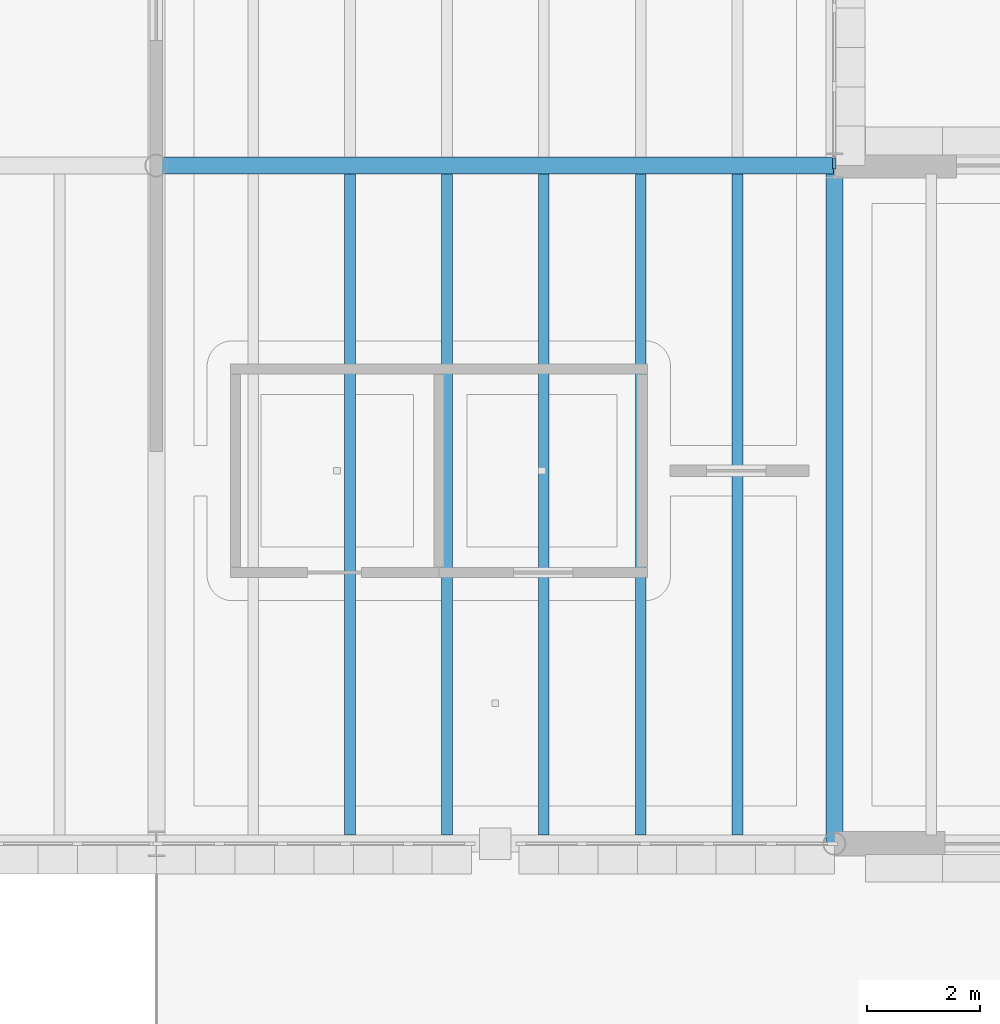
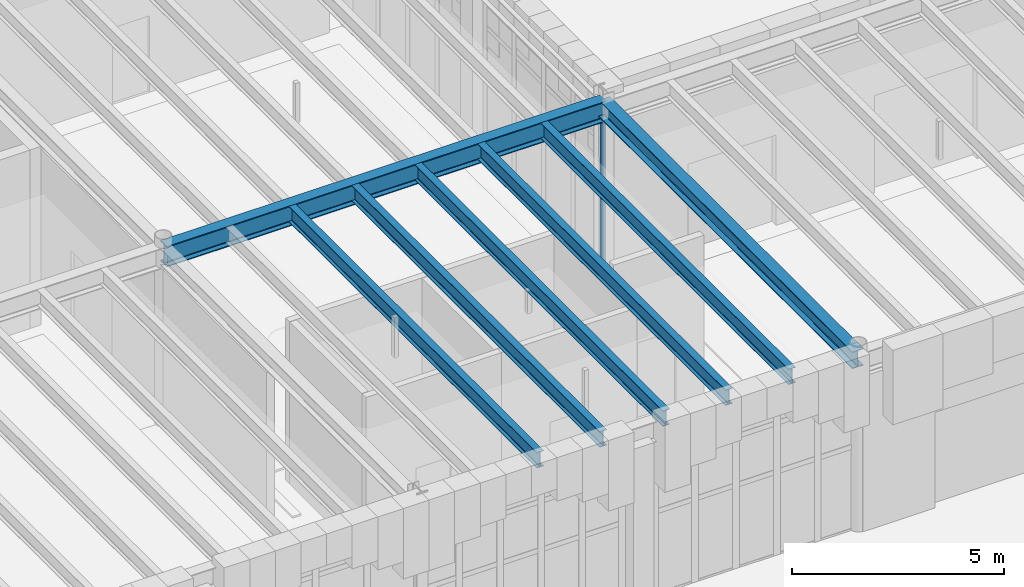
# One storey, part 21 of 103: 7 beams, 1 member, 1 element without a shape of its own.
"""IFC4 building model written with IfcOpenShell, lengths in metres."""

import ifcopenshell
import ifcopenshell.guid

model = None  # the IFC model being written
_history = None  # IfcOwnerHistory: only IFC2X3 demands one
_inside = {}  # id of a spatial element -> (the spatial element, [elements in it])
_under = {}  # id of a project, library or spatial element -> (it, [spatial elements below it])
_declared = {}  # id of a project -> (the project, [libraries it declares])
_typed = {}  # id of a type object -> (the type object, [elements of that type])
_made_of = {}  # id of a material, layer set ... -> (it, [elements and type objects made of it])


def new_model(schema):
    """Start an empty IFC model of exactly this schema.

    Asked for "IFC4X3", IfcOpenShell would pick the latest addendum, in which some entities
    have other attributes; the version numbers below select the first issue.
    IFC2X3 requires an IfcOwnerHistory on every rooted entity: one is made here for all.
    """
    global model, _history
    if schema == "IFC4X3":
        model = ifcopenshell.file(schema_version=(4, 3, 0, 0))
    else:
        model = ifcopenshell.file(schema=schema)
    _inside.clear()
    _under.clear()
    _declared.clear()
    _typed.clear()
    _made_of.clear()
    _history = None
    if model.schema == "IFC2X3":
        org = make("IfcOrganization", Name="unknown")
        user = make(
            "IfcPersonAndOrganization",
            ThePerson=make("IfcPerson", FamilyName="unknown"),
            TheOrganization=org,
        )
        app = make(
            "IfcApplication",
            ApplicationDeveloper=org,
            Version="unknown",
            ApplicationFullName="unknown",
            ApplicationIdentifier="unknown",
        )
        _history = make(
            "IfcOwnerHistory",
            OwningUser=user,
            OwningApplication=app,
            ChangeAction="ADDED",
            CreationDate=0,
        )
    return model


def make(cls, **values):
    """One entity of the class cls with the attributes given. An attribute that is None is left unset."""
    return model.create_entity(
        cls, **{name: value for name, value in values.items() if value is not None}
    )


def rooted(cls, **values):
    """An entity with a GlobalId (a new one), such as an element, a storey or a relation."""
    return make(cls, GlobalId=ifcopenshell.guid.new(), OwnerHistory=_history, **values)


def si_unit(unit_type, name, prefix=None):
    """IfcSIUnit, for example si_unit("LENGTHUNIT", "METRE", prefix="MILLI")."""
    return make("IfcSIUnit", UnitType=unit_type, Prefix=prefix, Name=name)


def assignment(units):
    """IfcUnitAssignment: the units of a project."""
    return None if units is None else make("IfcUnitAssignment", Units=units)


def point(xyz):
    """IfcCartesianPoint."""
    return None if xyz is None else make("IfcCartesianPoint", Coordinates=xyz)


def direction(xyz):
    """IfcDirection."""
    return None if xyz is None else make("IfcDirection", DirectionRatios=xyz)


def frame(location, z_axis=None, x_axis=None):
    """IfcAxis2Placement3D, a coordinate frame: its origin and axes. An axis left out is left unset."""
    return make(
        "IfcAxis2Placement3D",
        Location=point(location),
        Axis=direction(z_axis),
        RefDirection=direction(x_axis),
    )


def frame_2d(location, x_axis=None):
    """IfcAxis2Placement2D, a coordinate frame in the plane: its origin and x axis."""
    return make(
        "IfcAxis2Placement2D", Location=point(location), RefDirection=direction(x_axis)
    )


def origin():
    """The frame at (0, 0, 0) with its axes left unset."""
    return frame((0.0, 0.0, 0.0))


def origin_2d():
    """The frame at (0, 0) in the plane with its x axis left unset."""
    return frame_2d((0.0, 0.0))


def place(relative_to, where):
    """IfcLocalPlacement: puts the frame where relative to a parent placement (None: the world)."""
    return make(
        "IfcLocalPlacement", PlacementRelTo=relative_to, RelativePlacement=where
    )


def context(
    kind, dimensions, precision=None, world=None, true_north=None, identifier=None
):
    """IfcGeometricRepresentationContext, for example the 3D "Model" context."""
    return make(
        "IfcGeometricRepresentationContext",
        ContextIdentifier=identifier,
        ContextType=kind,
        CoordinateSpaceDimension=dimensions,
        Precision=precision,
        WorldCoordinateSystem=world,
        TrueNorth=true_north,
    )


def subcontext(parent, identifier, kind, view, scale=None):
    """IfcGeometricRepresentationSubContext, for example "Body" below "Model"."""
    return make(
        "IfcGeometricRepresentationSubContext",
        ContextIdentifier=identifier,
        ContextType=kind,
        ParentContext=parent,
        TargetScale=scale,
        TargetView=view,
    )


def project(units=None, contexts=None):
    """IfcProject with its units and contexts."""
    return rooted(
        "IfcProject",
        Name="project",
        RepresentationContexts=contexts,
        UnitsInContext=assignment(units),
    )


def spatial(cls, under=None, at=None, **own):
    """A site, building, storey or space (cls), placed at a placement, below another one or the project."""
    s = rooted(cls, ObjectPlacement=at, **own)
    if under is not None:
        _under.setdefault(under.id(), (under, []))[1].append(s)
    return s


def profile(cls, at=None, kind="AREA", **sizes):
    """A parametric profile (cls). Its sizes go by their IFC names, for example OverallWidth=200.0."""
    return make(cls, ProfileType=kind, Position=at, **sizes)


def rectangle(**sizes):
    """IfcRectangleProfileDef."""
    return profile("IfcRectangleProfileDef", **sizes)


def i_section(**sizes):
    """IfcIShapeProfileDef."""
    return profile("IfcIShapeProfileDef", **sizes)


def extrude(swept, where, along, depth):
    """IfcExtrudedAreaSolid: the profile swept, set in the frame where, extruded along a direction by depth."""
    return make(
        "IfcExtrudedAreaSolid",
        SweptArea=swept,
        Position=where,
        ExtrudedDirection=direction(along),
        Depth=depth,
    )


def shape(context_of_items, identifier, shape_type, items):
    """IfcShapeRepresentation: the items that make up one representation, for example the "Body"."""
    return make(
        "IfcShapeRepresentation",
        ContextOfItems=context_of_items,
        RepresentationIdentifier=identifier,
        RepresentationType=shape_type,
        Items=items,
    )


def material(Name=None, Category=None):
    """IfcMaterial."""
    return make("IfcMaterial", Name=Name, Category=Category)


def layer(
    of_material, thickness, ventilated=None, Name=None, Category=None, Priority=None
):
    """IfcMaterialLayer: one layer of a wall or slab, of a material (None: an air gap)."""
    return make(
        "IfcMaterialLayer",
        Material=of_material,
        LayerThickness=thickness,
        IsVentilated=ventilated,
        Name=Name,
        Category=Category,
        Priority=Priority,
    )


def layer_set(layers, Name=None):
    """IfcMaterialLayerSet."""
    return make("IfcMaterialLayerSet", MaterialLayers=layers, LayerSetName=Name)


def material_profile(
    of_material, cross_section, Name=None, Category=None, Priority=None
):
    """IfcMaterialProfile: a cross section and its material."""
    return make(
        "IfcMaterialProfile",
        Name=Name,
        Material=of_material,
        Profile=cross_section,
        Priority=Priority,
        Category=Category,
    )


def profile_set(profiles, Name=None, composite=None):
    """IfcMaterialProfileSet."""
    return make(
        "IfcMaterialProfileSet",
        Name=Name,
        MaterialProfiles=profiles,
        CompositeProfile=composite,
    )


def made_of(thing, what):
    """Note that an element or type object is made of a material, layer set ...; save() writes the relation."""
    if what is not None:
        _made_of.setdefault(what.id(), (what, []))[1].append(thing)
    return thing


def type_object(cls, material=None, **own):
    """A type object (cls), such as IfcWallType, which elements share."""
    return made_of(rooted(cls, **own), material)


def element(
    cls,
    number,
    at=None,
    inside=None,
    cuts=None,
    type_object=None,
    material=None,
    context=None,
    identifier="Body",
    shape_type=None,
    held_by="IfcProductDefinitionShape",
    body=None,
    shapes=None,
    **own,
):
    """One element of the class cls, such as IfcWall. Its Tag is "e" and its number.

    at: its placement. inside: the storey or other place that contains it. cuts: it is an
    opening in that element (IfcRelVoidsElement). A single representation is given by context,
    identifier, shape_type and body (its items); several are given by shapes. held_by: the class
    of the entity that holds the representations. save() writes the other relations.
    """
    e = rooted(cls, Tag="e%d" % number, ObjectPlacement=at, **own)
    if body is not None:
        shapes = [shape(context, identifier, shape_type, body)]
    if shapes is not None:
        e.Representation = make(held_by, Representations=shapes)
    if inside is not None:
        _inside.setdefault(inside.id(), (inside, []))[1].append(e)
    if cuts is not None:
        rooted(
            "IfcRelVoidsElement", RelatingBuildingElement=cuts, RelatedOpeningElement=e
        )
    if type_object is not None:
        _typed.setdefault(type_object.id(), (type_object, []))[1].append(e)
    return made_of(e, material)


def aggregate(whole, parts):
    """IfcRelAggregates: a whole, such as a stair, and the parts it consists of."""
    return rooted("IfcRelAggregates", RelatingObject=whole, RelatedObjects=parts)


def save(model, path):
    """Write the relations noted so far, then the file.

    IfcRelAggregates (storeys below a building ...), IfcRelContainedInSpatialStructure (elements
    in a storey), IfcRelDefinesByType, IfcRelAssociatesMaterial and IfcRelDeclares: one each for
    every whole, place, type object, material and project.
    """
    for whole, parts in _under.values():
        aggregate(whole, parts)
    for where, things in _inside.values():
        rooted(
            "IfcRelContainedInSpatialStructure",
            RelatedElements=things,
            RelatingStructure=where,
        )
    for kind, things in _typed.values():
        rooted("IfcRelDefinesByType", RelatedObjects=things, RelatingType=kind)
    for what, things in _made_of.values():
        rooted("IfcRelAssociatesMaterial", RelatedObjects=things, RelatingMaterial=what)
    for by, libraries in _declared.values():
        rooted("IfcRelDeclares", RelatingContext=by, RelatedDefinitions=libraries)
    model.write(path)


model = new_model("IFC4")

# Units and contexts
model_context = context("Model", 3, precision=1e-05, world=origin(), true_north=direction((0.0, 1.0)))
body_context = subcontext(model_context, "Body", "Model", "MODEL_VIEW")
ifc_project = project(units=[si_unit("LENGTHUNIT", "METRE"), si_unit("AREAUNIT", "SQUARE_METRE"), si_unit("VOLUMEUNIT", "CUBIC_METRE"), si_unit("PLANEANGLEUNIT", "RADIAN"), si_unit("MASSUNIT", "GRAM", prefix="KILO")], contexts=[model_context])

# Site, building, storey
site_placement = place(None, origin())
site = spatial("IfcSite", under=ifc_project, at=site_placement, CompositionType="ELEMENT")
building_placement = place(site_placement, origin())
building = spatial("IfcBuilding", under=site, at=building_placement, Name="Zlatogorsky Bluff Art Gallery", CompositionType="ELEMENT")
storey_placement = place(building_placement, origin())
storey = spatial("IfcBuildingStorey", under=building, at=storey_placement, Name="L00", CompositionType="ELEMENT", Elevation=0.0)

# Beams
ifc_material_1 = material(Name="Steel S355", Category="steel")
ifc_material_profile_1 = material_profile(ifc_material_1, i_section(OverallWidth=0.300048828125, OverallDepth=0.590087890625, WebThickness=0.012939453125, FlangeThickness=0.02490234375, FilletRadius=0.027099609375, at=origin_2d()), Name="HEA 600")
ifc_profile_set_1 = profile_set([ifc_material_profile_1], Name="Steel S355")
beam_type_1 = type_object("IfcBeamType", Name="Beam BM-05 HEA 600", PredefinedType="BEAM", material=ifc_profile_set_1)
beam_1_placement = place(storey_placement, frame((48.014892578125, 96.0, 4.844970703125), z_axis=(1.0, 0.0, 0.0), x_axis=(0.0, 1.0, 0.0)))
element("IfcBeam", 1, at=beam_1_placement, inside=storey, type_object=beam_type_1, Name="Primary girder BM-05 L00 E-F/10", PredefinedType="BEAM", context=body_context, shape_type="SweptSolid", body=[
    extrude(i_section(OverallWidth=0.300048828125, OverallDepth=0.590087890625, WebThickness=0.012939453125, FlangeThickness=0.02490234375, FilletRadius=0.027099609375, at=origin_2d()), origin(), (0.0, 0.0, 1.0), 11.97021484375),
])
ifc_material_profile_2 = material_profile(ifc_material_1, i_section(OverallWidth=0.300048828125, OverallDepth=0.489990234375, WebThickness=0.011962890625, FlangeThickness=0.02294921875, FilletRadius=0.027099609375, at=origin_2d()), Name="HEA 500")
ifc_profile_set_2 = profile_set([ifc_material_profile_2], Name="Steel S355")
beam_type_2 = type_object("IfcBeamType", Name="Beam BM-07 HEA 500", PredefinedType="BEAM", material=ifc_profile_set_2)
beam_2_placement = place(storey_placement, frame((60.0, 84.014892578125, 4.89501953125), z_axis=(0.0, 1.0, 0.0), x_axis=(-1.0, 0.0, 0.0)))
element("IfcBeam", 2, at=beam_2_placement, inside=storey, type_object=beam_type_2, Name="Primary girder BM-07 L00 F/9-10", PredefinedType="BEAM", context=body_context, shape_type="SweptSolid", body=[
    extrude(i_section(OverallWidth=0.300048828125, OverallDepth=0.489990234375, WebThickness=0.011962890625, FlangeThickness=0.02294921875, FilletRadius=0.027099609375, at=origin_2d()), origin(), (0.0, 0.0, 1.0), 11.97021484375),
])
ifc_material_profile_3 = material_profile(ifc_material_1, i_section(OverallWidth=0.18994140625, OverallDepth=0.449951171875, WebThickness=0.009521484375, FlangeThickness=0.0146484375, FilletRadius=0.02099609375, at=origin_2d()), Name="IPE 450")
ifc_profile_set_3 = profile_set([ifc_material_profile_3], Name="Steel S355")
beam_type_3 = type_object("IfcBeamType", Name="Beam JS-06 IPE 450", PredefinedType="JOIST", material=ifc_profile_set_3)
for number, where, z_axis, x_axis, name in (
    (3, (51.428466796875, 84.14990234375, 4.9150390625), (0.0, 1.0, 0.0), (-1.0, 0.0, 0.0), "Composite floor joist JS-06 L00 04.08.2"),
    (4, (53.142822265625, 84.14990234375, 4.9150390625), (0.0, 1.0, 0.0), (-1.0, 0.0, 0.0), "Composite floor joist JS-06 L00 04.08.3"),
    (5, (54.857177734375, 84.14990234375, 4.9150390625), (0.0, 1.0, 0.0), (-1.0, 0.0, 0.0), "Composite floor joist JS-06 L00 04.08.4"),
    (6, (56.571533203125, 84.14990234375, 4.9150390625), (0.0, 1.0, 0.0), (-1.0, 0.0, 0.0), "Composite floor joist JS-06 L00 04.08.5"),
    (7, (58.28564453125, 84.14990234375, 4.9150390625), (0.0, 1.0, 0.0), (-1.0, 0.0, 0.0), "Composite floor joist JS-06 L00 04.08.6"),
):
    element("IfcBeam", number, at=place(storey_placement, frame(where, z_axis=z_axis, x_axis=x_axis)), inside=storey, type_object=beam_type_3, Name=name, PredefinedType="JOIST", context=body_context, shape_type="SweptSolid", body=[
        extrude(i_section(OverallWidth=0.18994140625, OverallDepth=0.449951171875, WebThickness=0.009521484375, FlangeThickness=0.0146484375, FilletRadius=0.02099609375, at=origin_2d()), origin(), (0.0, 0.0, 1.0), 11.7001953125),
    ])

# Curtain wall, member
ifc_material_2 = material(Name="Anodised Bronze Aluminium and Low-Iron Triple Glazing", Category="aluminium")
ifc_layer = layer(ifc_material_2, 0.179931640625)
ifc_layer_set = layer_set([ifc_layer], Name="Curtain Wall CW-01")
curtain_wall_type = type_object("IfcCurtainWallType", Name="Curtain Wall CW-01", PredefinedType="USERDEFINED", material=ifc_layer_set)
curtain_wall_placement = place(storey_placement, origin())
curtain_wall = element("IfcCurtainWall", 8, at=curtain_wall_placement, inside=storey, type_object=curtain_wall_type, Name="Unitised curtain wall CW-01 L00 E 4.9-A", ObjectType="CURTAIN WALL", PredefinedType="USERDEFINED")
ifc_material_3 = material(Name="Anodised Bronze Aluminium", Category="aluminium")
ifc_material_profile_4 = material_profile(ifc_material_3, rectangle(XDim=0.06494140625, YDim=0.179931640625, at=origin_2d()), Name="ALU MULLION 65x180")
ifc_profile_set_4 = profile_set([ifc_material_profile_4], Name="Anodised Bronze Aluminium")
member_type = type_object("IfcMemberType", Name="Curtain Mullion ML-01", PredefinedType="MULLION", material=ifc_profile_set_4)
member_placement = place(storey_placement, frame((60.0, 96.032470703125, 0.0), z_axis=(0.0, 0.0, 1.0), x_axis=(-1.0, 0.0, 0.0)))
member = element("IfcMember", 9, at=member_placement, type_object=member_type, Name="CW-01 mullion 1", PredefinedType="MULLION", context=body_context, shape_type="SweptSolid", body=[
    extrude(rectangle(XDim=0.06494140625, YDim=0.179931640625, at=origin_2d()), origin(), (0.0, 0.0, 1.0), 4.56005859375),
])
aggregate(curtain_wall, [member])

save(model, "model.ifc")
